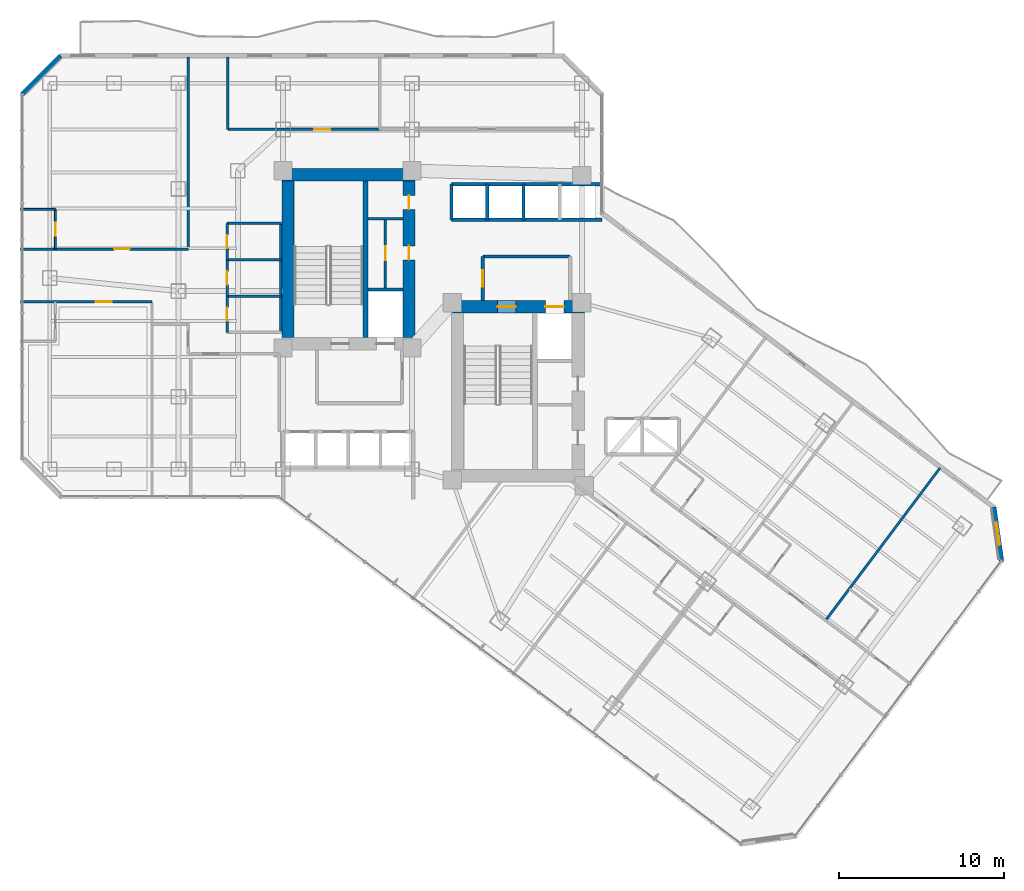
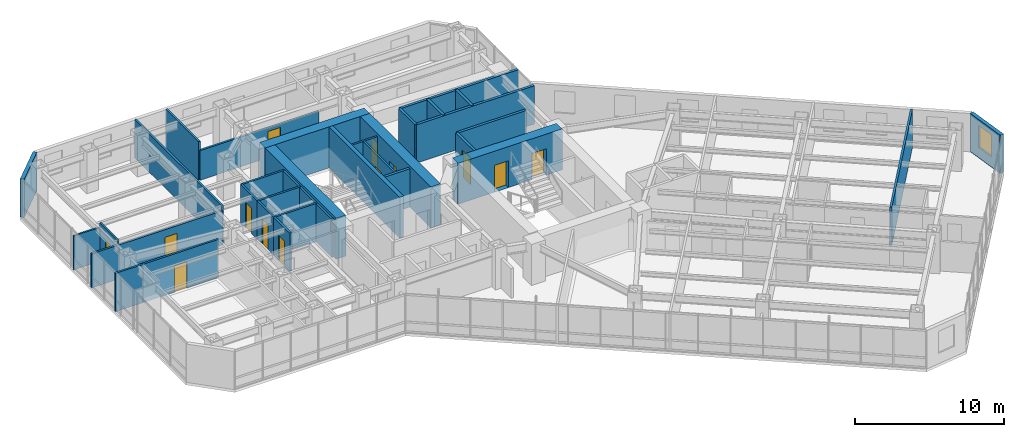
# One storey, part 30 of 36: 34 walls, 13 doors, 1 window, 14 openings.
"""IFC4 building model written with IfcOpenShell, lengths in metres."""

from ifc_helpers import new_model, si_unit, direction, frame, frame_2d, origin, place, context, subcontext, project, spatial, rectangle, extrude, material, layer, layer_set, type_object, element, fill, save


model = new_model("IFC4")

# Units and contexts
model_context = context("Model", 3, precision=1e-05, world=origin(), true_north=direction((0.0, 1.0)))
body_context = subcontext(model_context, "Body", "Model", "MODEL_VIEW")
ifc_project = project(units=[si_unit("LENGTHUNIT", "METRE"), si_unit("AREAUNIT", "SQUARE_METRE"), si_unit("VOLUMEUNIT", "CUBIC_METRE"), si_unit("PLANEANGLEUNIT", "RADIAN"), si_unit("MASSUNIT", "GRAM", prefix="KILO")], contexts=[model_context])

# Site, building, storey
site_placement = place(None, origin())
site = spatial("IfcSite", under=ifc_project, at=site_placement, CompositionType="ELEMENT")
building_placement = place(site_placement, origin())
building = spatial("IfcBuilding", under=site, at=building_placement, Name="Hatsunagi Terrace Concourse", CompositionType="ELEMENT")
storey_placement = place(building_placement, frame((0.0, 0.0, 84.64990234375)))
storey = spatial("IfcBuildingStorey", under=building, at=storey_placement, Name="L22", CompositionType="ELEMENT", Elevation=84.64990234375)

# Walls
ifc_material_1 = material(Name="Concrete Fc60", Category="concrete")
ifc_layer_1 = layer(ifc_material_1, 0.75)
ifc_layer_set_1 = layer_set([ifc_layer_1], Name="CoreShearWall_Fc60_750")
wall_type_1 = type_object("IfcWallType", Name="CoreShearWall_Fc60_750", PredefinedType="SHEAR", material=ifc_layer_set_1)
wall_1_placement = place(storey_placement, frame((25.469970703125, 43.044921875, 0.0), z_axis=(0.0, 0.0, 1.0), x_axis=(1.0, 0.0, 0.0)))
element("IfcWall", 1, at=wall_1_placement, inside=storey, type_object=wall_type_1, Name="Core A Shear Wall N L22", PredefinedType="SHEAR", context=body_context, shape_type="SweptSolid", body=[
    extrude(rectangle(XDim=8.080078125, YDim=0.75, at=frame_2d((4.0400390625, 0.0))), origin(), (0.0, 0.0, 1.0), 3.35009765625),
])
wall_2_placement = place(storey_placement, frame((25.844970703125, 33.18994140625, 0.0), z_axis=(0.0, 0.0, 1.0), x_axis=(0.0, 1.0, 0.0)))
element("IfcWall", 2, at=wall_2_placement, inside=storey, type_object=wall_type_1, Name="Core A Shear Wall W L22", PredefinedType="SHEAR", context=body_context, shape_type="SweptSolid", body=[
    extrude(rectangle(XDim=9.47998046875, YDim=0.75, at=frame_2d((4.739990234375, 0.0))), origin(), (0.0, 0.0, 1.0), 3.35009765625),
])

# Wall, openings, doors
wall_3_placement = place(storey_placement, frame((33.175048828125, 33.18994140625, 0.0), z_axis=(0.0, 0.0, 1.0), x_axis=(0.0, 1.0, 0.0)))
wall_3 = element("IfcWall", 3, at=wall_3_placement, inside=storey, type_object=wall_type_1, Name="Core A Shear Wall E L22", PredefinedType="SHEAR", context=body_context, shape_type="SweptSolid", body=[
    extrude(rectangle(XDim=9.47998046875, YDim=0.75, at=frame_2d((4.739990234375, 0.0))), origin(), (0.0, 0.0, 1.0), 3.35009765625),
])
opening_1_placement = place(wall_3_placement, frame((4.7099609375, 0.0, 0.0)))
opening_1 = element("IfcOpeningElement", 4, at=opening_1_placement, cuts=wall_3, Name="Opening DR-085", PredefinedType="OPENING", context=body_context, shape_type="SweptSolid", body=[
    extrude(rectangle(XDim=0.85009765625, YDim=2.080078125, at=frame_2d((0.425048828125, 1.0400390625))), frame((0.0, 0.385009765625, 0.0), z_axis=(0.0, -1.0, 0.0), x_axis=(1.0, 0.0, 0.0)), (0.0, 0.0, 1.0), 0.77001953125),
])
opening_2_placement = place(wall_3_placement, frame((7.760009765625, 0.0, 0.0)))
opening_2 = element("IfcOpeningElement", 5, at=opening_2_placement, cuts=wall_3, Name="Opening DR-085", PredefinedType="OPENING", context=body_context, shape_type="SweptSolid", body=[
    extrude(rectangle(XDim=0.85009765625, YDim=2.080078125, at=frame_2d((0.425048828125, 1.0400390625))), frame((0.0, 0.385009765625, 0.0), z_axis=(0.0, -1.0, 0.0), x_axis=(1.0, 0.0, 0.0)), (0.0, 0.0, 1.0), 0.77001953125),
])
ifc_material_2 = material(Name="Painted steel", Category="steel")
door_type_1 = type_object("IfcDoorType", Name="RiserAccessDoor_EI60_850", OperationType="NOTDEFINED", PredefinedType="DOOR", material=ifc_material_2)
door_1_placement = place(opening_1_placement, origin())
door_1 = element("IfcDoor", 6, at=door_1_placement, inside=storey, type_object=door_type_1, Name="Core A Riser Door L22-1", OperationType="SINGLE_SWING_LEFT", OverallHeight=2.080078125, OverallWidth=0.85009765625, PredefinedType="DOOR", context=body_context, shape_type="SweptSolid", body=[
    extrude(rectangle(XDim=0.85009765625, YDim=2.080078125, at=frame_2d((0.425048828125, 1.0400390625))), frame((0.0, 0.02490234375, 0.0), z_axis=(0.0, -1.0, 0.0), x_axis=(1.0, 0.0, 0.0)), (0.0, 0.0, 1.0), 0.050048828125),
])
fill(opening_1, door_1)
door_2_placement = place(opening_2_placement, origin())
door_2 = element("IfcDoor", 7, at=door_2_placement, inside=storey, type_object=door_type_1, Name="Core A Riser Door L22-2", OperationType="SINGLE_SWING_LEFT", OverallHeight=2.080078125, OverallWidth=0.85009765625, PredefinedType="DOOR", context=body_context, shape_type="SweptSolid", body=[
    extrude(rectangle(XDim=0.85009765625, YDim=2.080078125, at=frame_2d((0.425048828125, 1.0400390625))), frame((0.0, 0.02490234375, 0.0), z_axis=(0.0, -1.0, 0.0), x_axis=(1.0, 0.0, 0.0)), (0.0, 0.0, 1.0), 0.050048828125),
])
fill(opening_2, door_2)

wall_4_placement = place(storey_placement, frame((35.739990234375, 35.044921875, 0.0), z_axis=(0.0, 0.0, 1.0), x_axis=(1.0, 0.0, 0.0)))
wall_4 = element("IfcWall", 8, at=wall_4_placement, inside=storey, type_object=wall_type_1, Name="Core B Shear Wall N L22", PredefinedType="SHEAR", context=body_context, shape_type="SweptSolid", body=[
    extrude(rectangle(XDim=8.06005859375, YDim=0.75, at=frame_2d((4.030029296875, 0.0))), origin(), (0.0, 0.0, 1.0), 3.35009765625),
])
opening_3_placement = place(wall_4_placement, frame((2.81005859375, 0.0, 0.0)))
opening_3 = element("IfcOpeningElement", 9, at=opening_3_placement, cuts=wall_4, Name="Opening DR-110S", PredefinedType="OPENING", context=body_context, shape_type="SweptSolid", body=[
    extrude(rectangle(XDim=1.10009765625, YDim=2.199951171875, at=frame_2d((0.550048828125, 1.10009765625))), frame((0.0, 0.385009765625, 0.0), z_axis=(0.0, -1.0, 0.0), x_axis=(1.0, 0.0, 0.0)), (0.0, 0.0, 1.0), 0.77001953125),
])
opening_4_placement = place(wall_4_placement, frame((5.7099609375, 0.0, 0.0)))
opening_4 = element("IfcOpeningElement", 10, at=opening_4_placement, cuts=wall_4, Name="Opening LD-02", PredefinedType="OPENING", context=body_context, shape_type="SweptSolid", body=[
    extrude(rectangle(XDim=1.1201171875, YDim=2.14990234375, at=frame_2d((0.56005859375, 1.074951171875))), frame((0.0, 0.385009765625, 0.0), z_axis=(0.0, -1.0, 0.0), x_axis=(1.0, 0.0, 0.0)), (0.0, 0.0, 1.0), 0.77001953125),
])
ifc_material_3 = material(Name="Stainless steel", Category="steel")
door_type_2 = type_object("IfcDoorType", Name="LiftLandingDoor_LD02", OperationType="SLIDING_TO_RIGHT", PredefinedType="USERDEFINED", material=ifc_material_3)
door_3_placement = place(opening_4_placement, origin())
door_3 = element("IfcDoor", 11, at=door_3_placement, inside=storey, type_object=door_type_2, Name="Lift landing door FF-02 L22", ObjectType="SLIDING_LANDING_DOOR", OperationType="SLIDING_TO_RIGHT", OverallHeight=2.14990234375, OverallWidth=1.1201171875, PredefinedType="USERDEFINED", context=body_context, shape_type="SweptSolid", body=[
    extrude(rectangle(XDim=1.1201171875, YDim=2.14990234375, at=frame_2d((0.56005859375, 1.074951171875))), frame((0.0, 0.02490234375, 0.0), z_axis=(0.0, -1.0, 0.0), x_axis=(1.0, 0.0, 0.0)), (0.0, 0.0, 1.0), 0.050048828125),
])
fill(opening_4, door_3)
ifc_material_4 = material(Name="Painted steel", Category="steel")
door_type_3 = type_object("IfcDoorType", Name="StairFireDoor_EI60_1100", OperationType="NOTDEFINED", PredefinedType="DOOR", material=ifc_material_4)
door_4_placement = place(opening_3_placement, origin())
door_4 = element("IfcDoor", 12, at=door_4_placement, inside=storey, type_object=door_type_3, Name="Stair ST-B Exit Door L22", OperationType="SINGLE_SWING_RIGHT", OverallHeight=2.199951171875, OverallWidth=1.10009765625, PredefinedType="DOOR", context=body_context, shape_type="SweptSolid", body=[
    extrude(rectangle(XDim=1.10009765625, YDim=2.199951171875, at=frame_2d((0.550048828125, 1.10009765625))), frame((0.0, 0.02490234375, 0.0), z_axis=(0.0, -1.0, 0.0), x_axis=(1.0, 0.0, 0.0)), (0.0, 0.0, 1.0), 0.050048828125),
])
fill(opening_3, door_4)

# Wall
ifc_material_5 = material(Name="Concrete Fc48", Category="concrete")
ifc_layer_2 = layer(ifc_material_5, 0.300048828125)
ifc_layer_set_2 = layer_set([ifc_layer_2], Name="CoreStairDivider_Fc48_300")
wall_type_2 = type_object("IfcWallType", Name="CoreStairDivider_Fc48_300", PredefinedType="SHEAR", material=ifc_layer_set_2)
wall_5_placement = place(storey_placement, frame((30.5400390625, 33.18994140625, 0.0), z_axis=(0.0, 0.0, 1.0), x_axis=(0.0, 1.0, 0.0)))
element("IfcWall", 13, at=wall_5_placement, inside=storey, type_object=wall_type_2, Name="Core A Shear Wall D L22", PredefinedType="SHEAR", context=body_context, shape_type="SweptSolid", body=[
    extrude(rectangle(XDim=9.47998046875, YDim=0.300048828125, at=frame_2d((4.739990234375, 0.0))), origin(), (0.0, 0.0, 1.0), 3.35009765625),
])

# Wall, opening, door
ifc_material_6 = material(Name="Acoustic mineral board", Category="gypsum")
ifc_layer_3 = layer(ifc_material_6, 0.1201171875)
ifc_layer_set_3 = layer_set([ifc_layer_3], Name="PartitionWall_EI30_120")
wall_type_3 = type_object("IfcWallType", Name="PartitionWall_EI30_120", PredefinedType="PARTITIONING", material=ifc_layer_set_3)
wall_6_placement = place(storey_placement, frame((11.75, 38.550048828125, 0.0), z_axis=(0.0, 0.0, 1.0), x_axis=(0.0, 1.0, 0.0)))
wall_6 = element("IfcWall", 14, at=wall_6_placement, inside=storey, type_object=wall_type_3, Name="Interior Partition IW-L22-050", PredefinedType="PARTITIONING", context=body_context, shape_type="SweptSolid", body=[
    extrude(rectangle(XDim=2.39990234375, YDim=0.1201171875, at=frame_2d((1.199951171875, 0.0))), origin(), (0.0, 0.0, 1.0), 3.130126953125),
])
opening_5_placement = place(wall_6_placement, frame((0.800048828125, 0.0, 0.0)))
opening_5 = element("IfcOpeningElement", 15, at=opening_5_placement, cuts=wall_6, Name="Opening DR-080", PredefinedType="OPENING", context=body_context, shape_type="SweptSolid", body=[
    extrude(rectangle(XDim=0.800048828125, YDim=2.06005859375, at=frame_2d((0.39990234375, 1.030029296875))), frame((0.0, 0.070068359375, 0.0), z_axis=(0.0, -1.0, 0.0), x_axis=(1.0, 0.0, 0.0)), (0.0, 0.0, 1.0), 0.14013671875),
])
ifc_material_7 = material(Name="Hardwood timber", Category="wood")
door_type_4 = type_object("IfcDoorType", Name="BathroomDoor_800", OperationType="NOTDEFINED", PredefinedType="DOOR", material=ifc_material_7)
door_5_placement = place(opening_5_placement, origin())
door_5 = element("IfcDoor", 16, at=door_5_placement, inside=storey, type_object=door_type_4, Name="En-Suite Bathroom L22-N1 Door", OperationType="SINGLE_SWING_RIGHT", OverallHeight=2.06005859375, OverallWidth=0.800048828125, PredefinedType="DOOR", context=body_context, shape_type="SweptSolid", body=[
    extrude(rectangle(XDim=0.800048828125, YDim=2.06005859375, at=frame_2d((0.39990234375, 1.030029296875))), frame((0.0, 0.02490234375, 0.0), z_axis=(0.0, -1.0, 0.0), x_axis=(1.0, 0.0, 0.0)), (0.0, 0.0, 1.0), 0.050048828125),
])
fill(opening_5, door_5)

# Wall
wall_7_placement = place(storey_placement, frame((9.639892578125, 40.949951171875, 0.0), z_axis=(0.0, 0.0, 1.0), x_axis=(1.0, 0.0, 0.0)))
element("IfcWall", 17, at=wall_7_placement, inside=storey, type_object=wall_type_3, Name="Interior Partition IW-L22-051", PredefinedType="PARTITIONING", context=body_context, shape_type="SweptSolid", body=[
    extrude(rectangle(XDim=2.110107421875, YDim=0.1201171875, at=frame_2d((1.05517578125, 0.0))), origin(), (0.0, 0.0, 1.0), 2.775146484375),
])

# Wall, opening, door
ifc_material_8 = material(Name="Acoustic mineral board", Category="gypsum")
ifc_layer_4 = layer(ifc_material_8, 0.14990234375)
ifc_layer_set_4 = layer_set([ifc_layer_4], Name="PartitionWall_EI60_150")
wall_type_4 = type_object("IfcWallType", Name="PartitionWall_EI60_150", PredefinedType="PARTITIONING", material=ifc_layer_set_4)
wall_8_placement = place(storey_placement, frame((31.75, 36.179931640625, 0.0), z_axis=(0.0, 0.0, 1.0), x_axis=(0.0, 1.0, 0.0)))
wall_8 = element("IfcWall", 18, at=wall_8_placement, inside=storey, type_object=wall_type_4, Name="Interior Partition IW-L22-002", PredefinedType="PARTITIONING", context=body_context, shape_type="SweptSolid", body=[
    extrude(rectangle(XDim=4.239990234375, YDim=0.14990234375, at=frame_2d((2.1201171875, 0.0))), origin(), (0.0, 0.0, 1.0), 3.130126953125),
])
opening_6_placement = place(wall_8_placement, frame((1.695068359375, 0.0, 0.0)))
opening_6 = element("IfcOpeningElement", 19, at=opening_6_placement, cuts=wall_8, Name="Opening DR-085", PredefinedType="OPENING", context=body_context, shape_type="SweptSolid", body=[
    extrude(rectangle(XDim=0.85009765625, YDim=2.080078125, at=frame_2d((0.425048828125, 1.0400390625))), frame((0.0, 0.0849609375, 0.0), z_axis=(0.0, -1.0, 0.0), x_axis=(1.0, 0.0, 0.0)), (0.0, 0.0, 1.0), 0.169921875),
])
door_6_placement = place(opening_6_placement, origin())
door_6 = element("IfcDoor", 20, at=door_6_placement, inside=storey, type_object=door_type_1, Name="Core A Sub-Riser Door L22", OperationType="SINGLE_SWING_LEFT", OverallHeight=2.080078125, OverallWidth=0.85009765625, PredefinedType="DOOR", context=body_context, shape_type="SweptSolid", body=[
    extrude(rectangle(XDim=0.85009765625, YDim=2.080078125, at=frame_2d((0.425048828125, 1.0400390625))), frame((0.0, 0.02490234375, 0.0), z_axis=(0.0, -1.0, 0.0), x_axis=(1.0, 0.0, 0.0)), (0.0, 0.0, 1.0), 0.050048828125),
])
fill(opening_6, door_6)

# Walls
wall_9_placement = place(storey_placement, frame((30.699951171875, 40.39990234375, 0.0), z_axis=(0.0, 0.0, 1.0), x_axis=(1.0, 0.0, 0.0)))
element("IfcWall", 21, at=wall_9_placement, inside=storey, type_object=wall_type_4, Name="Interior Partition IW-L22-003", PredefinedType="PARTITIONING", context=body_context, shape_type="SweptSolid", body=[
    extrude(rectangle(XDim=2.10009765625, YDim=0.14990234375, at=frame_2d((1.050048828125, 0.0))), origin(), (0.0, 0.0, 1.0), 3.130126953125),
])
wall_10_placement = place(storey_placement, frame((22.14990234375, 40.10009765625, 0.0), z_axis=(0.0, 0.0, 1.0), x_axis=(1.0, 0.0, 0.0)))
element("IfcWall", 22, at=wall_10_placement, inside=storey, type_object=wall_type_4, Name="Interior Partition IW-L22-031", PredefinedType="PARTITIONING", context=body_context, shape_type="SweptSolid", body=[
    extrude(rectangle(XDim=3.300048828125, YDim=0.14990234375, at=frame_2d((1.64990234375, 0.0))), origin(), (0.0, 0.0, 1.0), 3.130126953125),
])
wall_11_placement = place(storey_placement, frame((25.39990234375, 33.5, 0.0), z_axis=(0.0, 0.0, 1.0), x_axis=(0.0, 1.0, 0.0)))
element("IfcWall", 23, at=wall_11_placement, inside=storey, type_object=wall_type_4, Name="Interior Partition IW-L22-032", PredefinedType="PARTITIONING", context=body_context, shape_type="SweptSolid", body=[
    extrude(rectangle(XDim=6.60009765625, YDim=0.14990234375, at=frame_2d((3.300048828125, 0.0))), origin(), (0.0, 0.0, 1.0), 3.130126953125),
])
for number, where, z_axis, x_axis, name in (
    (24, (22.14990234375, 35.699951171875, 0.0), (0.0, 0.0, 1.0), (1.0, 0.0, 0.0), "Interior Partition IW-L22-033"),
    (25, (22.14990234375, 37.89990234375, 0.0), (0.0, 0.0, 1.0), (1.0, 0.0, 0.0), "Interior Partition IW-L22-034"),
):
    element("IfcWall", number, at=place(storey_placement, frame(where, z_axis=z_axis, x_axis=x_axis)), inside=storey, type_object=wall_type_4, Name=name, PredefinedType="PARTITIONING", context=body_context, shape_type="SweptSolid", body=[
        extrude(rectangle(XDim=3.300048828125, YDim=0.14990234375, at=frame_2d((1.64990234375, 0.0))), origin(), (0.0, 0.0, 1.0), 3.130126953125),
    ])

# Wall, opening, door
wall_12_placement = place(storey_placement, frame((22.14990234375, 33.5, 0.0), z_axis=(0.0, 0.0, 1.0), x_axis=(0.0, 1.0, 0.0)))
wall_12 = element("IfcWall", 26, at=wall_12_placement, inside=storey, type_object=wall_type_4, Name="Interior Partition IW-L22-035", PredefinedType="PARTITIONING", context=body_context, shape_type="SweptSolid", body=[
    extrude(rectangle(XDim=2.199951171875, YDim=0.14990234375, at=frame_2d((1.10009765625, 0.0))), origin(), (0.0, 0.0, 1.0), 3.130126953125),
])
opening_7_placement = place(wall_12_placement, frame((0.699951171875, 0.0, 0.0)))
opening_7 = element("IfcOpeningElement", 27, at=opening_7_placement, cuts=wall_12, Name="Opening DR-080", PredefinedType="OPENING", context=body_context, shape_type="SweptSolid", body=[
    extrude(rectangle(XDim=0.800048828125, YDim=2.06005859375, at=frame_2d((0.39990234375, 1.030029296875))), frame((0.0, 0.0849609375, 0.0), z_axis=(0.0, -1.0, 0.0), x_axis=(1.0, 0.0, 0.0)), (0.0, 0.0, 1.0), 0.169921875),
])
door_7_placement = place(opening_7_placement, origin())
door_7 = element("IfcDoor", 28, at=door_7_placement, inside=storey, type_object=door_type_4, Name="Accessible WC Door L22", OperationType="SINGLE_SWING_RIGHT", OverallHeight=2.06005859375, OverallWidth=0.800048828125, PredefinedType="DOOR", context=body_context, shape_type="SweptSolid", body=[
    extrude(rectangle(XDim=0.800048828125, YDim=2.06005859375, at=frame_2d((0.39990234375, 1.030029296875))), frame((0.0, 0.02490234375, 0.0), z_axis=(0.0, -1.0, 0.0), x_axis=(1.0, 0.0, 0.0)), (0.0, 0.0, 1.0), 0.050048828125),
])
fill(opening_7, door_7)

wall_13_placement = place(storey_placement, frame((22.14990234375, 35.699951171875, 0.0), z_axis=(0.0, 0.0, 1.0), x_axis=(0.0, 1.0, 0.0)))
wall_13 = element("IfcWall", 29, at=wall_13_placement, inside=storey, type_object=wall_type_4, Name="Interior Partition IW-L22-036", PredefinedType="PARTITIONING", context=body_context, shape_type="SweptSolid", body=[
    extrude(rectangle(XDim=2.199951171875, YDim=0.14990234375, at=frame_2d((1.10009765625, 0.0))), origin(), (0.0, 0.0, 1.0), 3.130126953125),
])
opening_8_placement = place(wall_13_placement, frame((0.699951171875, 0.0, 0.0)))
opening_8 = element("IfcOpeningElement", 30, at=opening_8_placement, cuts=wall_13, Name="Opening DR-080", PredefinedType="OPENING", context=body_context, shape_type="SweptSolid", body=[
    extrude(rectangle(XDim=0.800048828125, YDim=2.06005859375, at=frame_2d((0.39990234375, 1.030029296875))), frame((0.0, 0.0849609375, 0.0), z_axis=(0.0, -1.0, 0.0), x_axis=(1.0, 0.0, 0.0)), (0.0, 0.0, 1.0), 0.169921875),
])
door_8_placement = place(opening_8_placement, origin())
door_8 = element("IfcDoor", 31, at=door_8_placement, inside=storey, type_object=door_type_4, Name="Female Restroom Door L22", OperationType="SINGLE_SWING_RIGHT", OverallHeight=2.06005859375, OverallWidth=0.800048828125, PredefinedType="DOOR", context=body_context, shape_type="SweptSolid", body=[
    extrude(rectangle(XDim=0.800048828125, YDim=2.06005859375, at=frame_2d((0.39990234375, 1.030029296875))), frame((0.0, 0.02490234375, 0.0), z_axis=(0.0, -1.0, 0.0), x_axis=(1.0, 0.0, 0.0)), (0.0, 0.0, 1.0), 0.050048828125),
])
fill(opening_8, door_8)

wall_14_placement = place(storey_placement, frame((22.14990234375, 37.89990234375, 0.0), z_axis=(0.0, 0.0, 1.0), x_axis=(0.0, 1.0, 0.0)))
wall_14 = element("IfcWall", 32, at=wall_14_placement, inside=storey, type_object=wall_type_4, Name="Interior Partition IW-L22-037", PredefinedType="PARTITIONING", context=body_context, shape_type="SweptSolid", body=[
    extrude(rectangle(XDim=2.2001953125, YDim=0.14990234375, at=frame_2d((1.10009765625, 0.0))), origin(), (0.0, 0.0, 1.0), 3.130126953125),
])
opening_9_placement = place(wall_14_placement, frame((0.699951171875, 0.0, 0.0)))
opening_9 = element("IfcOpeningElement", 33, at=opening_9_placement, cuts=wall_14, Name="Opening DR-080", PredefinedType="OPENING", context=body_context, shape_type="SweptSolid", body=[
    extrude(rectangle(XDim=0.800048828125, YDim=2.06005859375, at=frame_2d((0.39990234375, 1.030029296875))), frame((0.0, 0.0849609375, 0.0), z_axis=(0.0, -1.0, 0.0), x_axis=(1.0, 0.0, 0.0)), (0.0, 0.0, 1.0), 0.169921875),
])
door_9_placement = place(opening_9_placement, origin())
door_9 = element("IfcDoor", 34, at=door_9_placement, inside=storey, type_object=door_type_4, Name="Male Restroom Door L22", OperationType="SINGLE_SWING_RIGHT", OverallHeight=2.06005859375, OverallWidth=0.800048828125, PredefinedType="DOOR", context=body_context, shape_type="SweptSolid", body=[
    extrude(rectangle(XDim=0.800048828125, YDim=2.06005859375, at=frame_2d((0.39990234375, 1.030029296875))), frame((0.0, 0.02490234375, 0.0), z_axis=(0.0, -1.0, 0.0), x_axis=(1.0, 0.0, 0.0)), (0.0, 0.0, 1.0), 0.050048828125),
])
fill(opening_9, door_9)

wall_15_placement = place(storey_placement, frame((22.199951171875, 45.800048828125, 0.0), z_axis=(0.0, 0.0, 1.0), x_axis=(1.0, 0.0, 0.0)))
wall_15 = element("IfcWall", 35, at=wall_15_placement, inside=storey, type_object=wall_type_4, Name="Interior Partition IW-L22-038", PredefinedType="PARTITIONING", context=body_context, shape_type="SweptSolid", body=[
    extrude(rectangle(XDim=9.199951171875, YDim=0.14990234375, at=frame_2d((4.60009765625, 0.0))), origin(), (0.0, 0.0, 1.0), 2.425048828125),
])
opening_10_placement = place(wall_15_placement, frame((5.248046875, 0.0, 0.0)))
opening_10 = element("IfcOpeningElement", 36, at=opening_10_placement, cuts=wall_15, Name="Opening DR-095", PredefinedType="OPENING", context=body_context, shape_type="SweptSolid", body=[
    extrude(rectangle(XDim=0.949951171875, YDim=2.14990234375, at=frame_2d((0.47509765625, 1.074951171875))), frame((0.0, 0.0849609375, 0.0), z_axis=(0.0, -1.0, 0.0), x_axis=(1.0, 0.0, 0.0)), (0.0, 0.0, 1.0), 0.169921875),
])
ifc_material_9 = material(Name="Hardwood timber", Category="wood")
door_type_5 = type_object("IfcDoorType", Name="InteriorSuiteDoor_EI30_950", OperationType="NOTDEFINED", PredefinedType="DOOR", material=ifc_material_9)
door_10_placement = place(opening_10_placement, origin())
door_10 = element("IfcDoor", 37, at=door_10_placement, inside=storey, type_object=door_type_5, Name="Housekeeping Linen Room L22-HLIN Door", OperationType="SINGLE_SWING_LEFT", OverallHeight=2.14990234375, OverallWidth=0.949951171875, PredefinedType="DOOR", context=body_context, shape_type="SweptSolid", body=[
    extrude(rectangle(XDim=0.949951171875, YDim=2.14990234375, at=frame_2d((0.47509765625, 1.074951171875))), frame((0.0, 0.02490234375, 0.0), z_axis=(0.0, -1.0, 0.0), x_axis=(1.0, 0.0, 0.0)), (0.0, 0.0, 1.0), 0.050048828125),
])
fill(opening_10, door_10)

# Walls
wall_16_placement = place(storey_placement, frame((22.199951171875, 45.800048828125, 0.0), z_axis=(0.0, 0.0, 1.0), x_axis=(0.0, 1.0, 0.0)))
element("IfcWall", 38, at=wall_16_placement, inside=storey, type_object=wall_type_4, Name="Interior Partition IW-L22-039", PredefinedType="PARTITIONING", context=body_context, shape_type="SweptSolid", body=[
    extrude(rectangle(XDim=4.39990234375, YDim=0.14990234375, at=frame_2d((2.199951171875, 0.0))), origin(), (0.0, 0.0, 1.0), 3.130126953125),
])
wall_17_placement = place(storey_placement, frame((9.639892578125, 38.550048828125, 0.0), z_axis=(0.0, 0.0, 1.0), x_axis=(1.0, 0.0, 0.0)))
element("IfcWall", 39, at=wall_17_placement, inside=storey, type_object=wall_type_4, Name="Interior Partition IW-L22-048", PredefinedType="PARTITIONING", context=body_context, shape_type="SweptSolid", body=[
    extrude(rectangle(XDim=2.110107421875, YDim=0.14990234375, at=frame_2d((1.05517578125, 0.0))), origin(), (0.0, 0.0, 1.0), 2.775146484375),
])

# Wall, opening, door
wall_18_placement = place(storey_placement, frame((11.75, 38.550048828125, 0.0), z_axis=(0.0, 0.0, 1.0), x_axis=(1.0, 0.0, 0.0)))
wall_18 = element("IfcWall", 40, at=wall_18_placement, inside=storey, type_object=wall_type_4, Name="Interior Partition IW-L22-049", PredefinedType="PARTITIONING", context=body_context, shape_type="SweptSolid", body=[
    extrude(rectangle(XDim=8.050048828125, YDim=0.14990234375, at=frame_2d((4.02490234375, 0.0))), origin(), (0.0, 0.0, 1.0), 2.775146484375),
])
opening_11_placement = place(wall_18_placement, frame((3.550048828125, 0.0, 0.0)))
opening_11 = element("IfcOpeningElement", 41, at=opening_11_placement, cuts=wall_18, Name="Opening DR-095", PredefinedType="OPENING", context=body_context, shape_type="SweptSolid", body=[
    extrude(rectangle(XDim=0.949951171875, YDim=2.14990234375, at=frame_2d((0.47509765625, 1.074951171875))), frame((0.0, 0.0849609375, 0.0), z_axis=(0.0, -1.0, 0.0), x_axis=(1.0, 0.0, 0.0)), (0.0, 0.0, 1.0), 0.169921875),
])
door_11_placement = place(opening_11_placement, origin())
door_11 = element("IfcDoor", 42, at=door_11_placement, inside=storey, type_object=door_type_5, Name="Corner Hotel Suite L22-N1 Door", OperationType="SINGLE_SWING_LEFT", OverallHeight=2.14990234375, OverallWidth=0.949951171875, PredefinedType="DOOR", context=body_context, shape_type="SweptSolid", body=[
    extrude(rectangle(XDim=0.949951171875, YDim=2.14990234375, at=frame_2d((0.47509765625, 1.074951171875))), frame((0.0, 0.02490234375, 0.0), z_axis=(0.0, -1.0, 0.0), x_axis=(1.0, 0.0, 0.0)), (0.0, 0.0, 1.0), 0.050048828125),
])
fill(opening_11, door_11)

# Walls
wall_19_placement = place(storey_placement, frame((19.800048828125, 38.550048828125, 0.0), z_axis=(0.0, 0.0, 1.0), x_axis=(0.0, 1.0, 0.0)))
element("IfcWall", 43, at=wall_19_placement, inside=storey, type_object=wall_type_4, Name="Interior Partition IW-L22-052", PredefinedType="PARTITIONING", context=body_context, shape_type="SweptSolid", body=[
    extrude(rectangle(XDim=11.64990234375, YDim=0.14990234375, at=frame_2d((5.824951171875, 0.0))), origin(), (0.0, 0.0, 1.0), 3.130126953125),
])
wall_20_placement = place(storey_placement, frame((9.639892578125, 35.35009765625, 0.0), z_axis=(0.0, 0.0, 1.0), x_axis=(1.0, 0.0, 0.0)))
element("IfcWall", 44, at=wall_20_placement, inside=storey, type_object=wall_type_4, Name="Interior Partition IW-L22-053", PredefinedType="PARTITIONING", context=body_context, shape_type="SweptSolid", body=[
    extrude(rectangle(XDim=2.110107421875, YDim=0.14990234375, at=frame_2d((1.05517578125, 0.0))), origin(), (0.0, 0.0, 1.0), 3.130126953125),
])

# Wall, opening, door
wall_21_placement = place(storey_placement, frame((11.75, 35.35009765625, 0.0), z_axis=(0.0, 0.0, 1.0), x_axis=(1.0, 0.0, 0.0)))
wall_21 = element("IfcWall", 45, at=wall_21_placement, inside=storey, type_object=wall_type_4, Name="Interior Partition IW-L22-054", PredefinedType="PARTITIONING", context=body_context, shape_type="SweptSolid", body=[
    extrude(rectangle(XDim=5.85009765625, YDim=0.14990234375, at=frame_2d((2.925048828125, 0.0))), origin(), (0.0, 0.0, 1.0), 3.130126953125),
])
opening_12_placement = place(wall_21_placement, frame((2.449951171875, 0.0, 0.0)))
opening_12 = element("IfcOpeningElement", 46, at=opening_12_placement, cuts=wall_21, Name="Opening DR-095", PredefinedType="OPENING", context=body_context, shape_type="SweptSolid", body=[
    extrude(rectangle(XDim=0.949951171875, YDim=2.14990234375, at=frame_2d((0.47509765625, 1.074951171875))), frame((0.0, 0.0849609375, 0.0), z_axis=(0.0, -1.0, 0.0), x_axis=(1.0, 0.0, 0.0)), (0.0, 0.0, 1.0), 0.169921875),
])
door_12_placement = place(opening_12_placement, origin())
door_12 = element("IfcDoor", 47, at=door_12_placement, inside=storey, type_object=door_type_5, Name="Corner Hotel Suite L22-S1 Door", OperationType="SINGLE_SWING_RIGHT", OverallHeight=2.14990234375, OverallWidth=0.949951171875, PredefinedType="DOOR", context=body_context, shape_type="SweptSolid", body=[
    extrude(rectangle(XDim=0.949951171875, YDim=2.14990234375, at=frame_2d((0.47509765625, 1.074951171875))), frame((0.0, 0.02490234375, 0.0), z_axis=(0.0, -1.0, 0.0), x_axis=(1.0, 0.0, 0.0)), (0.0, 0.0, 1.0), 0.050048828125),
])
fill(opening_12, door_12)

# Walls
wall_22_placement = place(storey_placement, frame((58.429931640625, 16.0400390625, 0.0), z_axis=(0.0, 0.0, 1.0), x_axis=(0.60001014597, 0.799992390422, 0.0)))
element("IfcWall", 48, at=wall_22_placement, inside=storey, type_object=wall_type_4, Name="Interior Partition IW-L22-070", PredefinedType="PARTITIONING", context=body_context, shape_type="SweptSolid", body=[
    extrude(rectangle(XDim=11.550048828125, YDim=0.14990234375, at=frame_2d((5.77490234375, 0.0))), origin(), (0.0, 0.0, 1.0), 3.130126953125),
])
ifc_material_10 = material(Name="Acoustic mineral board", Category="gypsum")
ifc_layer_5 = layer(ifc_material_10, 0.199951171875)
ifc_layer_set_5 = layer_set([ifc_layer_5], Name="ShaftWall_EI120_200")
wall_type_5 = type_object("IfcWallType", Name="ShaftWall_EI120_200", PredefinedType="STANDARD", material=ifc_layer_set_5)
wall_23_placement = place(storey_placement, frame((30.699951171875, 36.10009765625, 0.0), z_axis=(0.0, 0.0, 1.0), x_axis=(1.0, 0.0, 0.0)))
element("IfcWall", 49, at=wall_23_placement, inside=storey, type_object=wall_type_5, Name="Interior Partition IW-L22-001", PredefinedType="STANDARD", context=body_context, shape_type="SweptSolid", body=[
    extrude(rectangle(XDim=2.10009765625, YDim=0.199951171875, at=frame_2d((1.050048828125, 0.0))), origin(), (0.0, 0.0, 1.0), 3.130126953125),
])
wall_24_placement = place(storey_placement, frame((37.64990234375, 38.10009765625, 0.0), z_axis=(0.0, 0.0, 1.0), x_axis=(1.0, 0.0, 0.0)))
element("IfcWall", 50, at=wall_24_placement, inside=storey, type_object=wall_type_5, Name="Interior Partition IW-L22-009", PredefinedType="STANDARD", context=body_context, shape_type="SweptSolid", body=[
    extrude(rectangle(XDim=5.300048828125, YDim=0.199951171875, at=frame_2d((2.64990234375, 0.0))), origin(), (0.0, 0.0, 1.0), 3.130126953125),
])

# Wall, opening, door
wall_25_placement = place(storey_placement, frame((37.64990234375, 35.419921875, 0.0), z_axis=(0.0, 0.0, 1.0), x_axis=(0.0, 1.0, 0.0)))
wall_25 = element("IfcWall", 51, at=wall_25_placement, inside=storey, type_object=wall_type_5, Name="Interior Partition IW-L22-011", PredefinedType="STANDARD", context=body_context, shape_type="SweptSolid", body=[
    extrude(rectangle(XDim=2.68017578125, YDim=0.199951171875, at=frame_2d((1.340087890625, 0.0))), origin(), (0.0, 0.0, 1.0), 3.130126953125),
])
opening_13_placement = place(wall_25_placement, frame((0.840087890625, 0.0, 0.0)))
opening_13 = element("IfcOpeningElement", 52, at=opening_13_placement, cuts=wall_25, Name="Opening DR-100F", PredefinedType="OPENING", context=body_context, shape_type="SweptSolid", body=[
    extrude(rectangle(XDim=1.0, YDim=2.199951171875, at=frame_2d((0.5, 1.10009765625))), frame((0.0, 0.10986328125, 0.0), z_axis=(0.0, -1.0, 0.0), x_axis=(1.0, 0.0, 0.0)), (0.0, 0.0, 1.0), 0.219970703125),
])
ifc_material_11 = material(Name="Painted steel", Category="steel")
door_type_6 = type_object("IfcDoorType", Name="FireDoor_EI60_1000", OperationType="NOTDEFINED", PredefinedType="DOOR", material=ifc_material_11)
door_13_placement = place(opening_13_placement, origin())
door_13 = element("IfcDoor", 53, at=door_13_placement, inside=storey, type_object=door_type_6, Name="Firefighting Lobby B Door L22", OperationType="SINGLE_SWING_RIGHT", OverallHeight=2.199951171875, OverallWidth=1.0, PredefinedType="DOOR", context=body_context, shape_type="SweptSolid", body=[
    extrude(rectangle(XDim=1.0, YDim=2.199951171875, at=frame_2d((0.5, 1.10009765625))), frame((0.0, 0.02490234375, 0.0), z_axis=(0.0, -1.0, 0.0), x_axis=(1.0, 0.0, 0.0)), (0.0, 0.0, 1.0), 0.050048828125),
])
fill(opening_13, door_13)

# Walls
wall_26_placement = place(storey_placement, frame((35.75, 42.47998046875, 0.0), z_axis=(0.0, 0.0, 1.0), x_axis=(1.0, 0.0, 0.0)))
element("IfcWall", 54, at=wall_26_placement, inside=storey, type_object=wall_type_5, Name="Interior Partition IW-L22-019", PredefinedType="STANDARD", context=body_context, shape_type="SweptSolid", body=[
    extrude(rectangle(XDim=9.110107421875, YDim=0.199951171875, at=frame_2d((4.55517578125, 0.0))), origin(), (0.0, 0.0, 1.0), 3.130126953125),
])
for number, where, z_axis, x_axis, name in (
    (55, (35.75, 40.320068359375, 0.0), (0.0, 0.0, 1.0), (0.0, 1.0, 0.0), "Interior Partition IW-L22-020"),
    (56, (37.919921875, 40.320068359375, 0.0), (0.0, 0.0, 1.0), (0.0, 1.0, 0.0), "Interior Partition IW-L22-021"),
    (57, (40.1201171875, 40.320068359375, 0.0), (0.0, 0.0, 1.0), (0.0, 1.0, 0.0), "Interior Partition IW-L22-022"),
):
    element("IfcWall", number, at=place(storey_placement, frame(where, z_axis=z_axis, x_axis=x_axis)), inside=storey, type_object=wall_type_5, Name=name, PredefinedType="STANDARD", context=body_context, shape_type="SweptSolid", body=[
        extrude(rectangle(XDim=2.159912109375, YDim=0.199951171875, at=frame_2d((1.080078125, 0.0))), origin(), (0.0, 0.0, 1.0), 3.130126953125),
    ])
wall_27_placement = place(storey_placement, frame((35.75, 40.320068359375, 0.0), z_axis=(0.0, 0.0, 1.0), x_axis=(1.0, 0.0, 0.0)))
element("IfcWall", 58, at=wall_27_placement, inside=storey, type_object=wall_type_5, Name="Interior Partition IW-L22-024", PredefinedType="STANDARD", context=body_context, shape_type="SweptSolid", body=[
    extrude(rectangle(XDim=9.110107421875, YDim=0.199951171875, at=frame_2d((4.55517578125, 0.0))), origin(), (0.0, 0.0, 1.0), 3.130126953125),
])

# Wall, opening, window
ifc_material_12 = material(Name="Autoclaved Lightweight Concrete and Terracotta Cladding", Category="masonry")
ifc_layer_6 = layer(ifc_material_12, 0.280029296875)
ifc_layer_set_6 = layer_set([ifc_layer_6], Name="TerracottaSpandrelWall_280")
wall_type_6 = type_object("IfcWallType", Name="TerracottaSpandrelWall_280", PredefinedType="STANDARD", material=ifc_layer_set_6)
wall_28_placement = place(storey_placement, frame((68.6298828125, 22.903076171875, 0.0), z_axis=(0.0, 0.0, 1.0), x_axis=(0.141285803956, -0.989968848803, 0.0)))
wall_28 = element("IfcWall", 59, at=wall_28_placement, inside=storey, type_object=wall_type_6, Name="Exterior Spandrel Wall EW-L22-02", PredefinedType="STANDARD", context=body_context, shape_type="SweptSolid", body=[
    extrude(rectangle(XDim=3.278076171875, YDim=0.280029296875, at=frame_2d((1.63916015625, 0.0))), origin(), (0.0, 0.0, 1.0), 3.130126953125),
])
opening_14_placement = place(wall_28_placement, frame((0.93896484375, 0.0, 0.85009765625)))
opening_14 = element("IfcOpeningElement", 60, at=opening_14_placement, cuts=wall_28, Name="Opening WIN-02", PredefinedType="OPENING", context=body_context, shape_type="SweptSolid", body=[
    extrude(rectangle(XDim=1.39990234375, YDim=1.800048828125, at=frame_2d((0.699951171875, 0.89990234375))), frame((0.0, 0.14990234375, 0.0), z_axis=(0.0, -1.0, 0.0), x_axis=(1.0, 0.0, 0.0)), (0.0, 0.0, 1.0), 0.300048828125),
])
ifc_material_13 = material(Name="Thermally Broken Aluminium and Low-E Triple Glazing", Category="aluminium")
window_type = type_object("IfcWindowType", Name="HotelOperableVentWindow_1400x1800", PartitioningType="DOUBLE_PANEL_VERTICAL", PredefinedType="WINDOW", material=ifc_material_13)
window_placement = place(opening_14_placement, origin())
window = element("IfcWindow", 61, at=window_placement, inside=storey, type_object=window_type, Name="Hotel Guestroom Window L22-02-1", OverallHeight=1.800048828125, OverallWidth=1.39990234375, PartitioningType="SINGLE_PANEL", PredefinedType="WINDOW", context=body_context, shape_type="SweptSolid", body=[
    extrude(rectangle(XDim=1.39990234375, YDim=1.800048828125, at=frame_2d((0.699951171875, 0.89990234375))), frame((0.0, 0.030029296875, 0.0), z_axis=(0.0, -1.0, 0.0), x_axis=(1.0, 0.0, 0.0)), (0.0, 0.0, 1.0), 0.06005859375),
])
fill(opening_14, window)

# Wall
wall_29_placement = place(storey_placement, frame((9.739990234375, 47.94189453125, 0.0), z_axis=(0.0, 0.0, 1.0), x_axis=(0.707106781187, 0.707106781187, 0.0)))
element("IfcWall", 62, at=wall_29_placement, inside=storey, type_object=wall_type_6, Name="Exterior Spandrel Wall EW-L22-10", PredefinedType="STANDARD", context=body_context, shape_type="SweptSolid", body=[
    extrude(rectangle(XDim=3.2783203125, YDim=0.280029296875, at=frame_2d((1.63916015625, 0.0))), origin(), (0.0, 0.0, 1.0), 3.130126953125),
])

save(model, "model.ifc")
